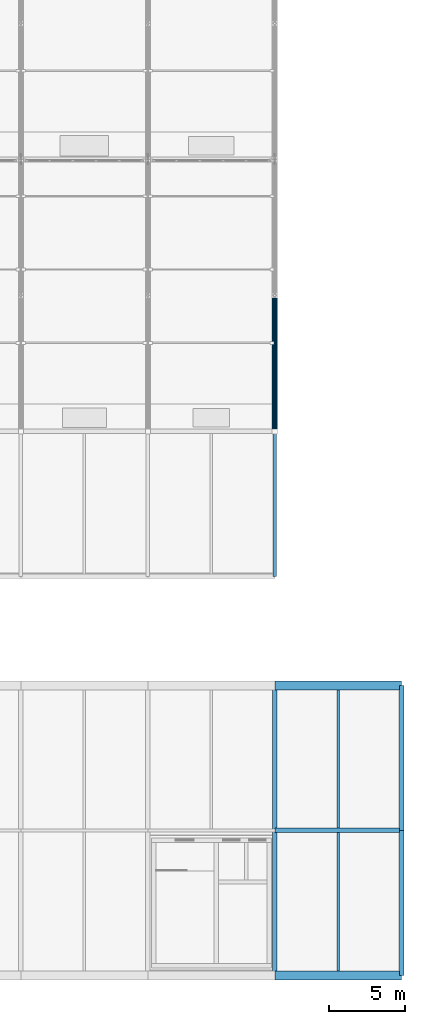
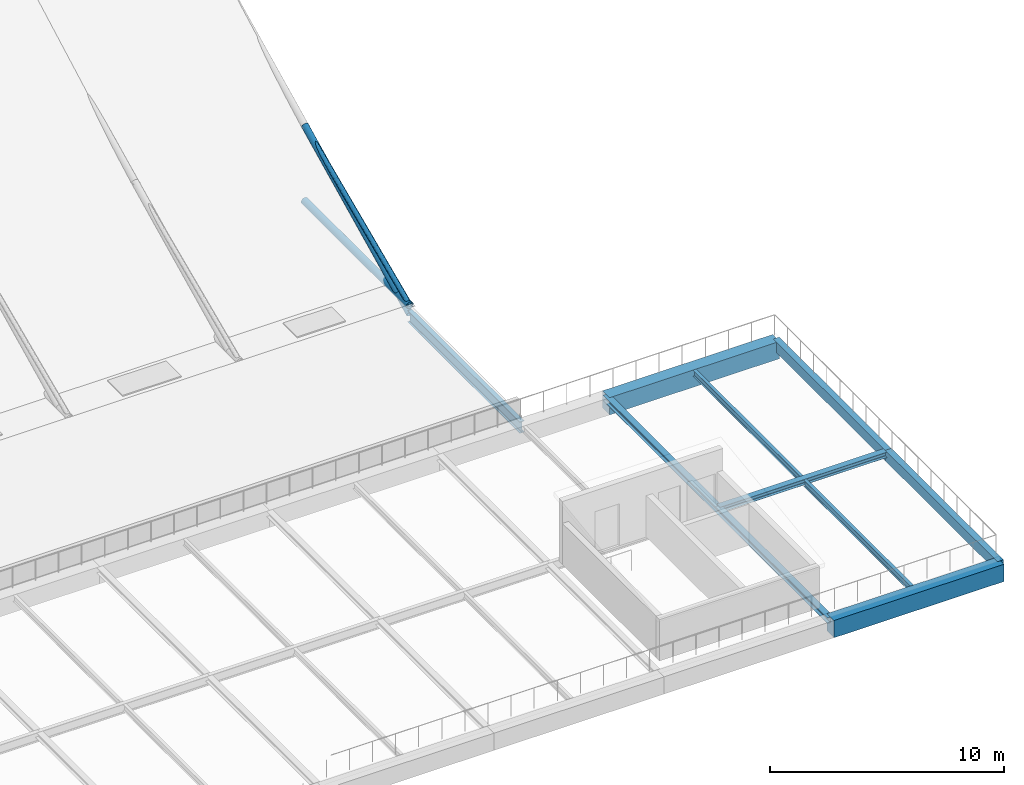
# One storey, part 18 of 38: 10 beams, 3 members.
"""IFC4 building model written with IfcOpenShell, lengths in metres."""

from ifc_helpers import new_model, si_unit, direction, frame, origin, origin_2d, place, context, subcontext, project, spatial, rectangle, hollow_circle, i_section, extrude, material, material_profile, profile_set, type_object, element, save


model = new_model("IFC4")

# Units and contexts
model_context = context("Model", 3, precision=1e-05, world=origin(), true_north=direction((0.0, 1.0)))
body_context = subcontext(model_context, "Body", "Model", "MODEL_VIEW")
ifc_project = project(units=[si_unit("LENGTHUNIT", "METRE"), si_unit("AREAUNIT", "SQUARE_METRE"), si_unit("VOLUMEUNIT", "CUBIC_METRE"), si_unit("PLANEANGLEUNIT", "RADIAN"), si_unit("MASSUNIT", "GRAM", prefix="KILO")], contexts=[model_context])

# Site, building, storey
site_placement = place(None, origin())
site = spatial("IfcSite", under=ifc_project, at=site_placement, CompositionType="ELEMENT")
building_placement = place(site_placement, origin())
building = spatial("IfcBuilding", under=site, at=building_placement, Name="Veltarok Museum of Natural Sciences", CompositionType="ELEMENT")
storey_placement = place(building_placement, frame((0.0, 0.0, 31.199951171875)))
storey = spatial("IfcBuildingStorey", under=building, at=storey_placement, Name="RF", CompositionType="ELEMENT", Elevation=31.199951171875)

# Beams
ifc_material_1 = material(Name="Precast concrete C40/50", Category="concrete")
ifc_material_profile_1 = material_profile(ifc_material_1, rectangle(XDim=0.300048828125, YDim=0.550048828125, at=origin_2d()), Name="RC 300x550")
ifc_profile_set_1 = profile_set([ifc_material_profile_1], Name="Precast concrete C40/50")
beam_type_1 = type_object("IfcBeamType", Name="East Wing Precast Spandrel RC 300x550", PredefinedType="SPANDREL", material=ifc_profile_set_1)
beam_1_placement = place(storey_placement, frame((107.199951171875, 0.0, -0.534912109375), z_axis=(0.0, 1.0, 0.0), x_axis=(-1.0, 0.0, 0.0)))
element("IfcBeam", 1, at=beam_1_placement, inside=storey, type_object=beam_type_1, Name="Beam BM-SP02 RF 13/A-B", PredefinedType="SPANDREL", context=body_context, shape_type="SweptSolid", body=[
    extrude(rectangle(XDim=0.300048828125, YDim=0.550048828125, at=origin_2d()), origin(), (0.0, 0.0, 1.0), 9.60009765625),
])
beam_2_placement = place(storey_placement, frame((107.199951171875, 9.60009765625, -0.534912109375), z_axis=(0.0, 1.0, 0.0), x_axis=(-1.0, 0.0, 0.0)))
element("IfcBeam", 2, at=beam_2_placement, inside=storey, type_object=beam_type_1, Name="Beam BM-SP02 RF 13/B-C", PredefinedType="SPANDREL", context=body_context, shape_type="SweptSolid", body=[
    extrude(rectangle(XDim=0.300048828125, YDim=0.550048828125, at=origin_2d()), origin(), (0.0, 0.0, 1.0), 9.599853515625),
])
ifc_material_2 = material(Name="Concrete C40/50", Category="concrete")
ifc_material_profile_2 = material_profile(ifc_material_2, rectangle(XDim=0.60009765625, YDim=0.89990234375, at=origin_2d()), Name="RC 600x900")
ifc_profile_set_2 = profile_set([ifc_material_profile_2], Name="Concrete C40/50")
beam_type_2 = type_object("IfcBeamType", Name="Exposed Cabinet Perimeter Spandrel RC 600x900", PredefinedType="SPANDREL", material=ifc_profile_set_2)
for number, where, z_axis, x_axis, name in (
    (3, (98.800048828125, 0.0, -0.7099609375), (1.0, 0.0, 0.0), (0.0, 1.0, 0.0), "Beam BM-SP01 RF 12-13/A"),
    (4, (98.800048828125, 19.199951171875, -0.7099609375), (1.0, 0.0, 0.0), (0.0, 1.0, 0.0), "Beam BM-SP01 RF 12-13/C"),
):
    element("IfcBeam", number, at=place(storey_placement, frame(where, z_axis=z_axis, x_axis=x_axis)), inside=storey, type_object=beam_type_2, Name=name, PredefinedType="SPANDREL", context=body_context, shape_type="SweptSolid", body=[
        extrude(rectangle(XDim=0.60009765625, YDim=0.89990234375, at=origin_2d()), origin(), (0.0, 0.0, 1.0), 8.39990234375),
    ])
ifc_material_3 = material(Name="Steel S355J2", Category="steel")
ifc_material_profile_3 = material_profile(ifc_material_3, i_section(OverallWidth=0.300048828125, OverallDepth=0.2900390625, WebThickness=0.008544921875, FlangeThickness=0.013916015625, FilletRadius=0.027099609375, at=origin_2d()), Name="HEA 300")
ifc_profile_set_3 = profile_set([ifc_material_profile_3], Name="Steel S355J2")
beam_type_3 = type_object("IfcBeamType", Name="Glazed Hall Edge Spandrel HEA 300", PredefinedType="SPANDREL", material=ifc_profile_set_3)
beam_3_placement = place(storey_placement, frame((98.800048828125, 9.60009765625, -0.405029296875), z_axis=(1.0, 0.0, 0.0), x_axis=(0.0, 1.0, 0.0)))
element("IfcBeam", 5, at=beam_3_placement, inside=storey, type_object=beam_type_3, Name="Beam BM-SP03 RF 12-13/B", PredefinedType="SPANDREL", context=body_context, shape_type="SweptSolid", body=[
    extrude(i_section(OverallWidth=0.300048828125, OverallDepth=0.2900390625, WebThickness=0.008544921875, FlangeThickness=0.013916015625, FilletRadius=0.027099609375, at=origin_2d()), origin(), (0.0, 0.0, 1.0), 8.39990234375),
])
beam_4_placement = place(storey_placement, frame((98.800048828125, 0.0, -0.405029296875), z_axis=(0.0, 1.0, 0.0), x_axis=(-1.0, 0.0, 0.0)))
element("IfcBeam", 6, at=beam_4_placement, inside=storey, type_object=beam_type_3, Name="Beam BM-SP03 RF 12/A-B", PredefinedType="SPANDREL", context=body_context, shape_type="SweptSolid", body=[
    extrude(i_section(OverallWidth=0.300048828125, OverallDepth=0.2900390625, WebThickness=0.008544921875, FlangeThickness=0.013916015625, FilletRadius=0.027099609375, at=origin_2d()), origin(), (0.0, 0.0, 1.0), 9.60009765625),
])
beam_5_placement = place(storey_placement, frame((98.800048828125, 9.60009765625, -0.405029296875), z_axis=(0.0, 1.0, 0.0), x_axis=(-1.0, 0.0, 0.0)))
element("IfcBeam", 7, at=beam_5_placement, inside=storey, type_object=beam_type_3, Name="Beam BM-SP03 RF 12/B-C", PredefinedType="SPANDREL", context=body_context, shape_type="SweptSolid", body=[
    extrude(i_section(OverallWidth=0.300048828125, OverallDepth=0.2900390625, WebThickness=0.008544921875, FlangeThickness=0.013916015625, FilletRadius=0.027099609375, at=origin_2d()), origin(), (0.0, 0.0, 1.0), 9.599853515625),
])
ifc_material_profile_4 = material_profile(ifc_material_3, i_section(OverallWidth=0.159912109375, OverallDepth=0.330078125, WebThickness=0.007568359375, FlangeThickness=0.011474609375, FilletRadius=0.01806640625, at=origin_2d()), Name="IPE 330")
ifc_profile_set_4 = profile_set([ifc_material_profile_4], Name="Steel S355J2")
beam_type_4 = type_object("IfcBeamType", Name="Medium-Bay Composite Joist IPE 330", PredefinedType="JOIST", material=ifc_profile_set_4)
beam_6_placement = place(storey_placement, frame((103.0, 0.298095703125, -0.425048828125), z_axis=(0.0, 1.0, 0.0), x_axis=(-1.0, 0.0, 0.0)))
element("IfcBeam", 8, at=beam_6_placement, inside=storey, type_object=beam_type_4, Name="Secondary Joist BM-J02 RF 12-13/A-B.1", PredefinedType="JOIST", context=body_context, shape_type="SweptSolid", body=[
    extrude(i_section(OverallWidth=0.159912109375, OverallDepth=0.330078125, WebThickness=0.007568359375, FlangeThickness=0.011474609375, FilletRadius=0.01806640625, at=origin_2d()), origin(), (0.0, 0.0, 1.0), 9.15380859375),
])
beam_7_placement = place(storey_placement, frame((103.0, 9.748046875, -0.425048828125), z_axis=(0.0, 1.0, 0.0), x_axis=(-1.0, 0.0, 0.0)))
element("IfcBeam", 9, at=beam_7_placement, inside=storey, type_object=beam_type_4, Name="Secondary Joist BM-J02 RF 12-13/B-C.1", PredefinedType="JOIST", context=body_context, shape_type="SweptSolid", body=[
    extrude(i_section(OverallWidth=0.159912109375, OverallDepth=0.330078125, WebThickness=0.007568359375, FlangeThickness=0.011474609375, FilletRadius=0.01806640625, at=origin_2d()), origin(), (0.0, 0.0, 1.0), 9.154052734375),
])
ifc_material_profile_5 = material_profile(ifc_material_3, i_section(OverallWidth=0.219970703125, OverallDepth=0.60009765625, WebThickness=0.011962890625, FlangeThickness=0.01904296875, FilletRadius=0.02392578125, at=origin_2d()), Name="IPE 600")
ifc_profile_set_5 = profile_set([ifc_material_profile_5], Name="Steel S355J2")
beam_type_5 = type_object("IfcBeamType", Name="Primary Museum Girder IPE 600", PredefinedType="BEAM", material=ifc_profile_set_5)
beam_8_placement = place(storey_placement, frame((98.800048828125, 26.39990234375, -6.33984375), z_axis=(0.0, 1.0, 0.0), x_axis=(-1.0, 0.0, 0.0)))
element("IfcBeam", 10, at=beam_8_placement, inside=storey, type_object=beam_type_5, Name="Sawtooth South Roof Girder 12/D-E", PredefinedType="BEAM", context=body_context, shape_type="SweptSolid", body=[
    extrude(i_section(OverallWidth=0.219970703125, OverallDepth=0.60009765625, WebThickness=0.011962890625, FlangeThickness=0.01904296875, FilletRadius=0.02392578125, at=origin_2d()), origin(), (0.0, 0.0, 1.0), 9.60009765625),
])

# Members
ifc_material_4 = material(Name="Oxide-red painted Steel S355J2", Category="steel")
ifc_material_profile_6 = material_profile(ifc_material_4, hollow_circle(Radius=0.122314453125, WallThickness=0.012451171875, at=origin_2d()), Name="CHS 244.5x12.5")
ifc_profile_set_6 = profile_set([ifc_material_profile_6], Name="Oxide-red painted Steel S355J2")
member_type_1 = type_object("IfcMemberType", Name="Sawtooth End Diagonal CHS 244.5x12.5", PredefinedType="BRACE", material=ifc_profile_set_6)
member_1_placement = place(storey_placement, frame((98.800048828125, 36.0, -5.800048828125), z_axis=(0.0, 0.915682381641, 0.401902694633), x_axis=(-1.0, 0.0, 0.0)))
element("IfcMember", 11, at=member_1_placement, inside=storey, type_object=member_type_1, Name="Roof Truss Diagonal 12 M1", PredefinedType="BRACE", context=body_context, shape_type="SweptSolid", body=[
    extrude(hollow_circle(Radius=0.122314453125, WallThickness=0.012451171875, at=origin_2d()), origin(), (0.0, 0.0, 1.0), 9.828857421875),
])
ifc_material_profile_7 = material_profile(ifc_material_4, hollow_circle(Radius=0.177734375, WallThickness=0.01611328125, at=origin_2d()), Name="CHS 355.6x16")
ifc_profile_set_7 = profile_set([ifc_material_profile_7], Name="Oxide-red painted Steel S355J2")
member_type_2 = type_object("IfcMemberType", Name="Sawtooth Heavy Chord CHS 355.6x16", PredefinedType="CHORD", material=ifc_profile_set_7)
member_2_placement = place(storey_placement, frame((98.800048828125, 36.0, -5.800048828125), z_axis=(0.0, 1.0, 0.0), x_axis=(-1.0, 0.0, 0.0)))
element("IfcMember", 12, at=member_2_placement, inside=storey, type_object=member_type_2, Name="Roof Truss Bottom Chord 12 M1", PredefinedType="CHORD", context=body_context, shape_type="SweptSolid", body=[
    extrude(hollow_circle(Radius=0.177734375, WallThickness=0.01611328125, at=origin_2d()), origin(), (0.0, 0.0, 1.0), 9.0),
])
ifc_material_profile_8 = material_profile(ifc_material_4, hollow_circle(Radius=0.161865234375, WallThickness=0.01611328125, at=origin_2d()), Name="CHS 323.9x16")
ifc_profile_set_8 = profile_set([ifc_material_profile_8], Name="Oxide-red painted Steel S355J2")
member_type_3 = type_object("IfcMemberType", Name="Sawtooth Truss Chord CHS 323.9x16", PredefinedType="CHORD", material=ifc_profile_set_8)
member_3_placement = place(storey_placement, frame((98.800048828125, 36.0, -6.25), z_axis=(0.0, 0.898378591281, 0.43922193334), x_axis=(-1.0, 0.0, 0.0)))
element("IfcMember", 13, at=member_3_placement, inside=storey, type_object=member_type_3, Name="Roof Truss Top Chord 12 M1", PredefinedType="CHORD", context=body_context, shape_type="SweptSolid", body=[
    extrude(hollow_circle(Radius=0.161865234375, WallThickness=0.01611328125, at=origin_2d()), origin(), (0.0, 0.0, 1.0), 10.01806640625),
])

save(model, "model.ifc")
